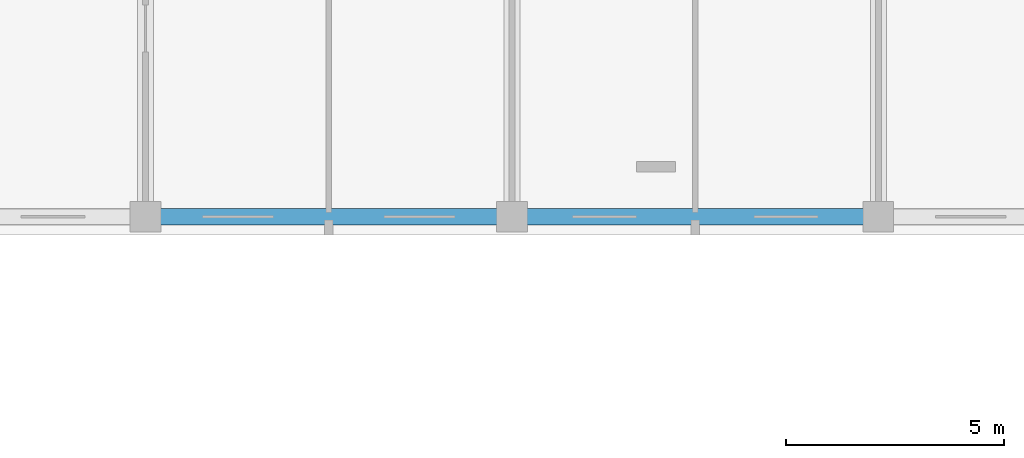
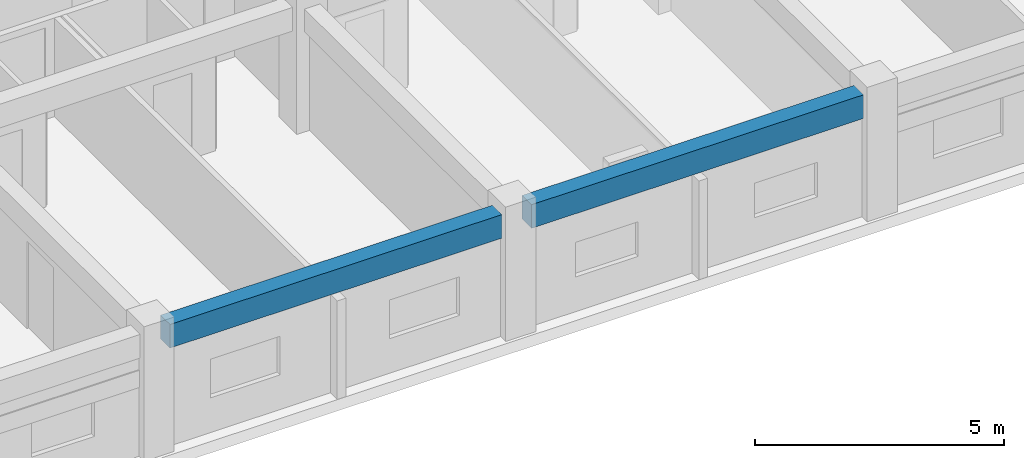
# One storey, part 81 of 148: 2 beams.
"""IFC4 building model written with IfcOpenShell, lengths in metres."""

from ifc_helpers import new_model, si_unit, direction, frame, origin, origin_2d, place, context, subcontext, project, spatial, rectangle, extrude, material, material_profile, profile_set, type_object, element, save


model = new_model("IFC4")

# Units and contexts
model_context = context("Model", 3, precision=1e-05, world=origin(), true_north=direction((0.0, 1.0)))
body_context = subcontext(model_context, "Body", "Model", "MODEL_VIEW")
ifc_project = project(units=[si_unit("LENGTHUNIT", "METRE"), si_unit("AREAUNIT", "SQUARE_METRE"), si_unit("VOLUMEUNIT", "CUBIC_METRE"), si_unit("PLANEANGLEUNIT", "RADIAN"), si_unit("MASSUNIT", "GRAM", prefix="KILO")], contexts=[model_context])

# Site, building, storey
site_placement = place(None, origin())
site = spatial("IfcSite", under=ifc_project, at=site_placement, CompositionType="ELEMENT")
building_placement = place(site_placement, origin())
building = spatial("IfcBuilding", under=site, at=building_placement, Name="Trelvath General Hospital", CompositionType="ELEMENT")
storey_placement = place(building_placement, frame((0.0, 0.0, 12.89990234375)))
storey = spatial("IfcBuildingStorey", under=building, at=storey_placement, Name="L03", CompositionType="ELEMENT", Elevation=12.89990234375)

# Beams
ifc_material = material(Name="Concrete C35/45", Category="concrete")
ifc_material_profile = material_profile(ifc_material, rectangle(XDim=0.3798828125, YDim=0.580078125, at=origin_2d()), Name="RCB380x580")
ifc_profile_set = profile_set([ifc_material_profile], Name="Concrete C35/45")
beam_type = type_object("IfcBeamType", Name="Beam RC380x580", PredefinedType="BEAM", material=ifc_profile_set)
for number, where, z_axis, x_axis, name in (
    (1, (92.7451171875, 92.39990234375, 2.72998046875), (1.0, 0.0, 0.0), (0.0, 1.0, 0.0), "Grid Beam BX-311L"),
    (2, (101.14501953125, 92.39990234375, 2.72998046875), (1.0, 0.0, 0.0), (0.0, 1.0, 0.0), "Grid Beam BX-312L"),
):
    element("IfcBeam", number, at=place(storey_placement, frame(where, z_axis=z_axis, x_axis=x_axis)), inside=storey, type_object=beam_type, Name=name, PredefinedType="BEAM", context=body_context, shape_type="SweptSolid", body=[
        extrude(rectangle(XDim=0.3798828125, YDim=0.580078125, at=origin_2d()), origin(), (0.0, 0.0, 1.0), 7.7099609375),
    ])

save(model, "model.ifc")
